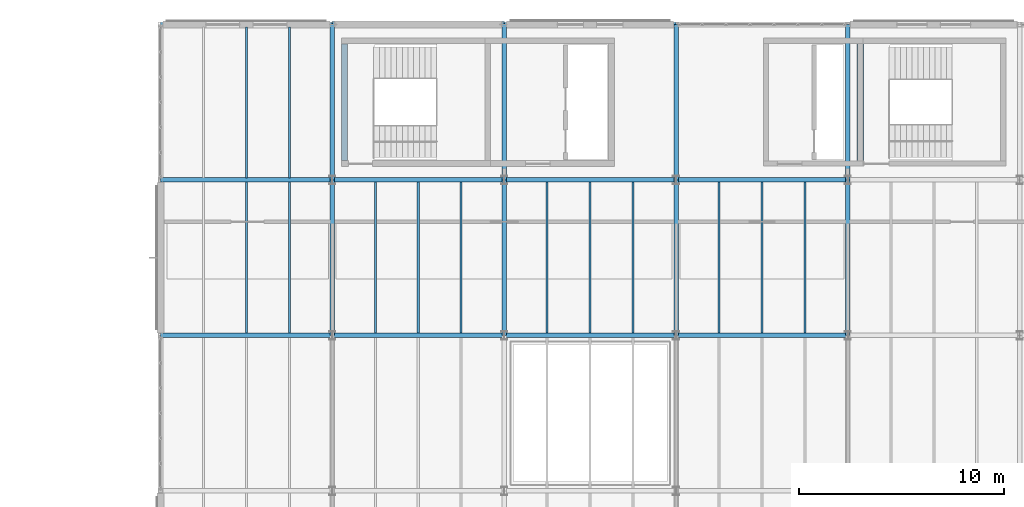
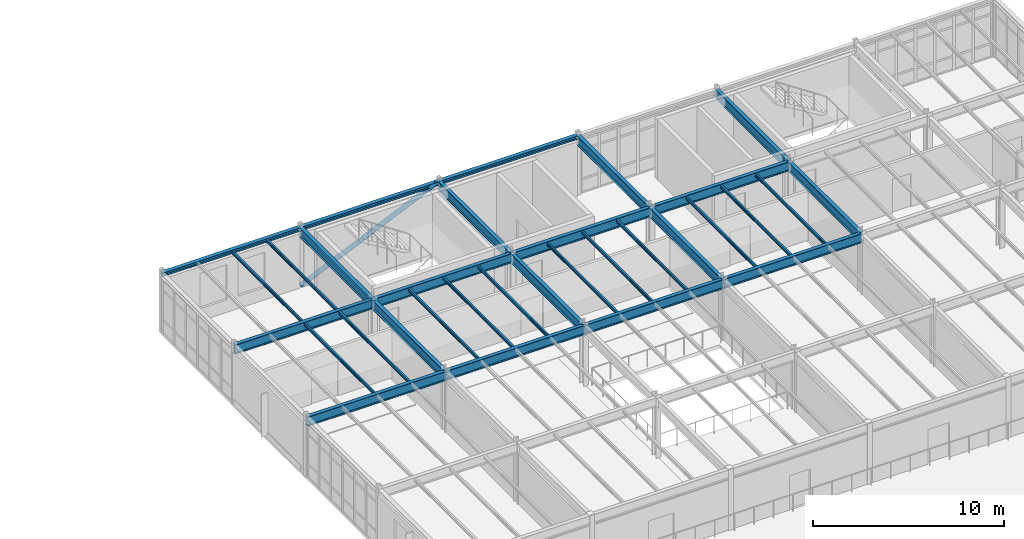
# One storey, part 47 of 114: 34 beams, 1 member.
"""IFC4 building model written with IfcOpenShell, lengths in metres."""

from ifc_helpers import new_model, si_unit, direction, frame, origin, origin_2d, place, context, subcontext, project, spatial, rectangle, hollow_circle, i_section, extrude, material, material_profile, profile_set, type_object, element, save


model = new_model("IFC4")

# Units and contexts
model_context = context("Model", 3, precision=1e-05, world=origin(), true_north=direction((0.0, 1.0)))
body_context = subcontext(model_context, "Body", "Model", "MODEL_VIEW")
ifc_project = project(units=[si_unit("LENGTHUNIT", "METRE"), si_unit("AREAUNIT", "SQUARE_METRE"), si_unit("VOLUMEUNIT", "CUBIC_METRE"), si_unit("PLANEANGLEUNIT", "RADIAN"), si_unit("MASSUNIT", "GRAM", prefix="KILO")], contexts=[model_context])

# Site, building, storey
site_placement = place(None, origin())
site = spatial("IfcSite", under=ifc_project, at=site_placement, CompositionType="ELEMENT")
building_placement = place(site_placement, origin())
building = spatial("IfcBuilding", under=site, at=building_placement, Name="Montecoro Central Library", CompositionType="ELEMENT")
storey_placement = place(building_placement, frame((0.0, 0.0, 13.260009765625)))
storey = spatial("IfcBuildingStorey", under=building, at=storey_placement, Name="L03", CompositionType="ELEMENT", Elevation=13.260009765625)

# Beams
ifc_material_1 = material(Name="Steel S355J2", Category="steel")
ifc_material_profile_1 = material_profile(ifc_material_1, i_section(OverallWidth=0.219970703125, OverallDepth=0.60009765625, WebThickness=0.011962890625, FlangeThickness=0.01904296875, at=origin_2d()), Name="IPE 600")
ifc_profile_set_1 = profile_set([ifc_material_profile_1], Name="Steel S355J2")
beam_type_1 = type_object("IfcBeamType", Name="BM-G-IPE600", PredefinedType="USERDEFINED", material=ifc_profile_set_1)
beam_1_placement = place(storey_placement, frame((66.405029296875, 103.800048828125, 3.52490234375), z_axis=(1.0, 0.0, 0.0), x_axis=(0.0, 1.0, 0.0)))
element("IfcBeam", 1, at=beam_1_placement, inside=storey, type_object=beam_type_1, Name="V2-L03-BX-910-P", ObjectType="GIRDER", PredefinedType="USERDEFINED", context=body_context, shape_type="SweptSolid", body=[
    extrude(i_section(OverallWidth=0.219970703125, OverallDepth=0.60009765625, WebThickness=0.011962890625, FlangeThickness=0.01904296875, at=origin_2d()), origin(), (0.0, 0.0, 1.0), 8.389892578125),
])
beam_2_placement = place(storey_placement, frame((74.804931640625, 103.800048828125, 3.52490234375), z_axis=(1.0, 0.0, 0.0), x_axis=(0.0, 1.0, 0.0)))
element("IfcBeam", 2, at=beam_2_placement, inside=storey, type_object=beam_type_1, Name="V2-L03-BX-1011-P", ObjectType="GIRDER", PredefinedType="USERDEFINED", context=body_context, shape_type="SweptSolid", body=[
    extrude(i_section(OverallWidth=0.219970703125, OverallDepth=0.60009765625, WebThickness=0.011962890625, FlangeThickness=0.01904296875, at=origin_2d()), origin(), (0.0, 0.0, 1.0), 8.39013671875),
])
beam_3_placement = place(storey_placement, frame((83.205078125, 103.800048828125, 3.52490234375), z_axis=(1.0, 0.0, 0.0), x_axis=(0.0, 1.0, 0.0)))
element("IfcBeam", 3, at=beam_3_placement, inside=storey, type_object=beam_type_1, Name="V2-L03-BX-1112-P", ObjectType="GIRDER", PredefinedType="USERDEFINED", context=body_context, shape_type="SweptSolid", body=[
    extrude(i_section(OverallWidth=0.219970703125, OverallDepth=0.60009765625, WebThickness=0.011962890625, FlangeThickness=0.01904296875, at=origin_2d()), origin(), (0.0, 0.0, 1.0), 8.389892578125),
])
beam_4_placement = place(storey_placement, frame((91.60498046875, 103.800048828125, 3.52490234375), z_axis=(1.0, 0.0, 0.0), x_axis=(0.0, 1.0, 0.0)))
element("IfcBeam", 4, at=beam_4_placement, inside=storey, type_object=beam_type_1, Name="V2-L03-BX-1213-P", ObjectType="GIRDER", PredefinedType="USERDEFINED", context=body_context, shape_type="SweptSolid", body=[
    extrude(i_section(OverallWidth=0.219970703125, OverallDepth=0.60009765625, WebThickness=0.011962890625, FlangeThickness=0.01904296875, at=origin_2d()), origin(), (0.0, 0.0, 1.0), 8.39013671875),
])
beam_5_placement = place(storey_placement, frame((66.405029296875, 111.39990234375, 3.52490234375), z_axis=(1.0, 0.0, 0.0), x_axis=(0.0, 1.0, 0.0)))
element("IfcBeam", 5, at=beam_5_placement, inside=storey, type_object=beam_type_1, Name="V2-L03-BX-910-Q", ObjectType="GIRDER", PredefinedType="USERDEFINED", context=body_context, shape_type="SweptSolid", body=[
    extrude(i_section(OverallWidth=0.219970703125, OverallDepth=0.60009765625, WebThickness=0.011962890625, FlangeThickness=0.01904296875, at=origin_2d()), origin(), (0.0, 0.0, 1.0), 8.389892578125),
])
beam_6_placement = place(storey_placement, frame((74.804931640625, 111.39990234375, 3.52490234375), z_axis=(1.0, 0.0, 0.0), x_axis=(0.0, 1.0, 0.0)))
element("IfcBeam", 6, at=beam_6_placement, inside=storey, type_object=beam_type_1, Name="V2-L03-BX-1011-Q", ObjectType="GIRDER", PredefinedType="USERDEFINED", context=body_context, shape_type="SweptSolid", body=[
    extrude(i_section(OverallWidth=0.219970703125, OverallDepth=0.60009765625, WebThickness=0.011962890625, FlangeThickness=0.01904296875, at=origin_2d()), origin(), (0.0, 0.0, 1.0), 8.39013671875),
])
beam_7_placement = place(storey_placement, frame((83.205078125, 111.39990234375, 3.52490234375), z_axis=(1.0, 0.0, 0.0), x_axis=(0.0, 1.0, 0.0)))
element("IfcBeam", 7, at=beam_7_placement, inside=storey, type_object=beam_type_1, Name="V2-L03-BX-1112-Q", ObjectType="GIRDER", PredefinedType="USERDEFINED", context=body_context, shape_type="SweptSolid", body=[
    extrude(i_section(OverallWidth=0.219970703125, OverallDepth=0.60009765625, WebThickness=0.011962890625, FlangeThickness=0.01904296875, at=origin_2d()), origin(), (0.0, 0.0, 1.0), 8.389892578125),
])
beam_8_placement = place(storey_placement, frame((91.60498046875, 111.39990234375, 3.52490234375), z_axis=(1.0, 0.0, 0.0), x_axis=(0.0, 1.0, 0.0)))
element("IfcBeam", 8, at=beam_8_placement, inside=storey, type_object=beam_type_1, Name="V2-L03-BX-1213-Q", ObjectType="GIRDER", PredefinedType="USERDEFINED", context=body_context, shape_type="SweptSolid", body=[
    extrude(i_section(OverallWidth=0.219970703125, OverallDepth=0.60009765625, WebThickness=0.011962890625, FlangeThickness=0.01904296875, at=origin_2d()), origin(), (0.0, 0.0, 1.0), 8.39013671875),
])
for number, where, z_axis, x_axis, name in (
    (9, (74.800048828125, 103.804931640625, 3.52490234375), (0.0, 1.0, 0.0), (-1.0, 0.0, 0.0), "V2-L03-BY-10-PQ"),
    (10, (74.800048828125, 111.405029296875, 3.52490234375), (0.0, 1.0, 0.0), (-1.0, 0.0, 0.0), "V2-L03-BY-10-QR"),
    (11, (83.199951171875, 103.804931640625, 3.52490234375), (0.0, 1.0, 0.0), (-1.0, 0.0, 0.0), "V2-L03-BY-11-PQ"),
    (12, (83.199951171875, 111.405029296875, 3.52490234375), (0.0, 1.0, 0.0), (-1.0, 0.0, 0.0), "V2-L03-BY-11-QR"),
    (13, (91.60009765625, 103.804931640625, 3.52490234375), (0.0, 1.0, 0.0), (-1.0, 0.0, 0.0), "V2-L03-BY-12-PQ"),
    (14, (91.60009765625, 111.405029296875, 3.52490234375), (0.0, 1.0, 0.0), (-1.0, 0.0, 0.0), "V2-L03-BY-12-QR"),
    (15, (100.0, 103.804931640625, 3.52490234375), (0.0, 1.0, 0.0), (-1.0, 0.0, 0.0), "V2-L03-BY-13-PQ"),
    (16, (100.0, 111.405029296875, 3.52490234375), (0.0, 1.0, 0.0), (-1.0, 0.0, 0.0), "V2-L03-BY-13-QR"),
):
    element("IfcBeam", number, at=place(storey_placement, frame(where, z_axis=z_axis, x_axis=x_axis)), inside=storey, type_object=beam_type_1, Name=name, ObjectType="GIRDER", PredefinedType="USERDEFINED", context=body_context, shape_type="SweptSolid", body=[
        extrude(i_section(OverallWidth=0.219970703125, OverallDepth=0.60009765625, WebThickness=0.011962890625, FlangeThickness=0.01904296875, at=origin_2d()), origin(), (0.0, 0.0, 1.0), 7.590087890625),
    ])
ifc_material_2 = material(Name="Steel S355", Category="steel")
ifc_material_profile_2 = material_profile(ifc_material_2, i_section(OverallWidth=0.10009765625, OverallDepth=0.199951171875, WebThickness=0.005615234375, FlangeThickness=0.008544921875, at=origin_2d()), Name="IPE 200")
ifc_profile_set_2 = profile_set([ifc_material_profile_2], Name="Steel S355")
beam_type_2 = type_object("IfcBeamType", Name="BM-J-IPE200", PredefinedType="JOIST", material=ifc_profile_set_2)
for number, where, z_axis, x_axis, name in (
    (17, (70.60009765625, 103.906982421875, 3.72509765625), (0.0, 1.0, 0.0), (-1.0, 0.0, 0.0), "V2-L03-JS-910-PQ-2"),
    (18, (72.699951171875, 103.906982421875, 3.72509765625), (0.0, 1.0, 0.0), (-1.0, 0.0, 0.0), "V2-L03-JS-910-PQ-3"),
):
    element("IfcBeam", number, at=place(storey_placement, frame(where, z_axis=z_axis, x_axis=x_axis)), inside=storey, type_object=beam_type_2, Name=name, PredefinedType="JOIST", context=body_context, shape_type="SweptSolid", body=[
        extrude(i_section(OverallWidth=0.10009765625, OverallDepth=0.199951171875, WebThickness=0.005615234375, FlangeThickness=0.008544921875, at=origin_2d()), origin(), (0.0, 0.0, 1.0), 7.385986328125),
    ])
for number, where, z_axis, x_axis, name in (
    (19, (70.60009765625, 111.507080078125, 3.72509765625), (0.0, 1.0, 0.0), (-1.0, 0.0, 0.0), "V2-L03-JS-910-QR-2"),
    (20, (72.699951171875, 111.507080078125, 3.72509765625), (0.0, 1.0, 0.0), (-1.0, 0.0, 0.0), "V2-L03-JS-910-QR-3"),
):
    element("IfcBeam", number, at=place(storey_placement, frame(where, z_axis=z_axis, x_axis=x_axis)), inside=storey, type_object=beam_type_2, Name=name, PredefinedType="JOIST", context=body_context, shape_type="SweptSolid", body=[
        extrude(i_section(OverallWidth=0.10009765625, OverallDepth=0.199951171875, WebThickness=0.005615234375, FlangeThickness=0.008544921875, at=origin_2d()), origin(), (0.0, 0.0, 1.0), 7.3759765625),
    ])
for number, where, z_axis, x_axis, name in (
    (21, (76.89990234375, 103.906982421875, 3.72509765625), (0.0, 1.0, 0.0), (-1.0, 0.0, 0.0), "V2-L03-JS-1011-PQ-1"),
    (22, (79.0, 103.906982421875, 3.72509765625), (0.0, 1.0, 0.0), (-1.0, 0.0, 0.0), "V2-L03-JS-1011-PQ-2"),
    (23, (81.10009765625, 103.906982421875, 3.72509765625), (0.0, 1.0, 0.0), (-1.0, 0.0, 0.0), "V2-L03-JS-1011-PQ-3"),
    (24, (85.300048828125, 103.906982421875, 3.72509765625), (0.0, 1.0, 0.0), (-1.0, 0.0, 0.0), "V2-L03-JS-1112-PQ-1"),
    (25, (87.39990234375, 103.906982421875, 3.72509765625), (0.0, 1.0, 0.0), (-1.0, 0.0, 0.0), "V2-L03-JS-1112-PQ-2"),
    (26, (89.5, 103.906982421875, 3.72509765625), (0.0, 1.0, 0.0), (-1.0, 0.0, 0.0), "V2-L03-JS-1112-PQ-3"),
    (27, (93.699951171875, 103.906982421875, 3.72509765625), (0.0, 1.0, 0.0), (-1.0, 0.0, 0.0), "V2-L03-JS-1213-PQ-1"),
    (28, (95.800048828125, 103.906982421875, 3.72509765625), (0.0, 1.0, 0.0), (-1.0, 0.0, 0.0), "V2-L03-JS-1213-PQ-2"),
    (29, (97.89990234375, 103.906982421875, 3.72509765625), (0.0, 1.0, 0.0), (-1.0, 0.0, 0.0), "V2-L03-JS-1213-PQ-3"),
):
    element("IfcBeam", number, at=place(storey_placement, frame(where, z_axis=z_axis, x_axis=x_axis)), inside=storey, type_object=beam_type_2, Name=name, PredefinedType="JOIST", context=body_context, shape_type="SweptSolid", body=[
        extrude(i_section(OverallWidth=0.10009765625, OverallDepth=0.199951171875, WebThickness=0.005615234375, FlangeThickness=0.008544921875, at=origin_2d()), origin(), (0.0, 0.0, 1.0), 7.385986328125),
    ])
ifc_material_3 = material(Name="Concrete C35/45", Category="concrete")
ifc_material_profile_3 = material_profile(ifc_material_3, rectangle(XDim=0.300048828125, YDim=0.449951171875, at=origin_2d()), Name="RC LNT 450x300")
ifc_profile_set_3 = profile_set([ifc_material_profile_3], Name="Concrete C35/45")
beam_type_3 = type_object("IfcBeamType", Name="BM-LN-RC02", PredefinedType="LINTEL", material=ifc_profile_set_3)
beam_9_placement = place(storey_placement, frame((75.39990234375, 112.35009765625, 2.675048828125), z_axis=(0.0, 1.0, 0.0), x_axis=(-1.0, 0.0, 0.0)))
element("IfcBeam", 30, at=beam_9_placement, inside=storey, type_object=beam_type_3, Name="C2-L03-LNT", PredefinedType="LINTEL", context=body_context, shape_type="SweptSolid", body=[
    extrude(rectangle(XDim=0.300048828125, YDim=0.449951171875, at=origin_2d()), origin(), (0.0, 0.0, 1.0), 5.699951171875),
])
ifc_material_profile_4 = material_profile(ifc_material_3, rectangle(XDim=0.320068359375, YDim=0.5, at=origin_2d()), Name="RC LNT 500x320")
ifc_profile_set_4 = profile_set([ifc_material_profile_4], Name="Concrete C35/45")
beam_type_4 = type_object("IfcBeamType", Name="BM-LN-RC03", PredefinedType="LINTEL", material=ifc_profile_set_4)
beam_10_placement = place(storey_placement, frame((100.60009765625, 112.35009765625, 2.699951171875), z_axis=(0.0, 1.0, 0.0), x_axis=(-1.0, 0.0, 0.0)))
element("IfcBeam", 31, at=beam_10_placement, inside=storey, type_object=beam_type_4, Name="C3-L03-LNT", PredefinedType="LINTEL", context=body_context, shape_type="SweptSolid", body=[
    extrude(rectangle(XDim=0.320068359375, YDim=0.5, at=origin_2d()), origin(), (0.0, 0.0, 1.0), 5.699951171875),
])
ifc_material_profile_5 = material_profile(ifc_material_2, i_section(OverallWidth=0.239990234375, OverallDepth=0.22998046875, WebThickness=0.007568359375, FlangeThickness=0.011962890625, at=origin_2d()), Name="HEA 240")
ifc_profile_set_5 = profile_set([ifc_material_profile_5], Name="Steel S355")
beam_type_5 = type_object("IfcBeamType", Name="BM-SP-HEA240", PredefinedType="SPANDREL", material=ifc_profile_set_5)
beam_11_placement = place(storey_placement, frame((66.405029296875, 119.0, 3.7099609375), z_axis=(1.0, 0.0, 0.0), x_axis=(0.0, 1.0, 0.0)))
element("IfcBeam", 32, at=beam_11_placement, inside=storey, type_object=beam_type_5, Name="V2-L03-BX-910-R", PredefinedType="SPANDREL", context=body_context, shape_type="SweptSolid", body=[
    extrude(i_section(OverallWidth=0.239990234375, OverallDepth=0.22998046875, WebThickness=0.007568359375, FlangeThickness=0.011962890625, at=origin_2d()), origin(), (0.0, 0.0, 1.0), 8.389892578125),
])
beam_12_placement = place(storey_placement, frame((74.804931640625, 119.0, 3.7099609375), z_axis=(1.0, 0.0, 0.0), x_axis=(0.0, 1.0, 0.0)))
element("IfcBeam", 33, at=beam_12_placement, inside=storey, type_object=beam_type_5, Name="V2-L03-BX-1011-R", PredefinedType="SPANDREL", context=body_context, shape_type="SweptSolid", body=[
    extrude(i_section(OverallWidth=0.239990234375, OverallDepth=0.22998046875, WebThickness=0.007568359375, FlangeThickness=0.011962890625, at=origin_2d()), origin(), (0.0, 0.0, 1.0), 8.39013671875),
])
beam_13_placement = place(storey_placement, frame((83.205078125, 119.0, 3.7099609375), z_axis=(1.0, 0.0, 0.0), x_axis=(0.0, 1.0, 0.0)))
element("IfcBeam", 34, at=beam_13_placement, inside=storey, type_object=beam_type_5, Name="V2-L03-BX-1112-R", PredefinedType="SPANDREL", context=body_context, shape_type="SweptSolid", body=[
    extrude(i_section(OverallWidth=0.239990234375, OverallDepth=0.22998046875, WebThickness=0.007568359375, FlangeThickness=0.011962890625, at=origin_2d()), origin(), (0.0, 0.0, 1.0), 8.389892578125),
])

# Member
ifc_material_profile_6 = material_profile(ifc_material_2, hollow_circle(Radius=0.136474609375, WallThickness=0.012451171875, at=origin_2d()), Name="CHS 273.0x12.5")
ifc_profile_set_6 = profile_set([ifc_material_profile_6], Name="Steel S355")
member_type = type_object("IfcMemberType", Name="MB-BR-CHS273", PredefinedType="BRACE", material=ifc_profile_set_6)
member_placement = place(storey_placement, frame((74.800048828125, 119.0, 0.010009765625), z_axis=(0.911312900709, 0.0, 0.411714460519), x_axis=(0.0, 1.0, 0.0)))
element("IfcMember", 35, at=member_placement, inside=storey, type_object=member_type, Name="V2-L03-BRN1", PredefinedType="BRACE", context=body_context, shape_type="SweptSolid", body=[
    extrude(hollow_circle(Radius=0.136474609375, WallThickness=0.012451171875, at=origin_2d()), origin(), (0.0, 0.0, 1.0), 9.21728515625),
])

save(model, "model.ifc")
